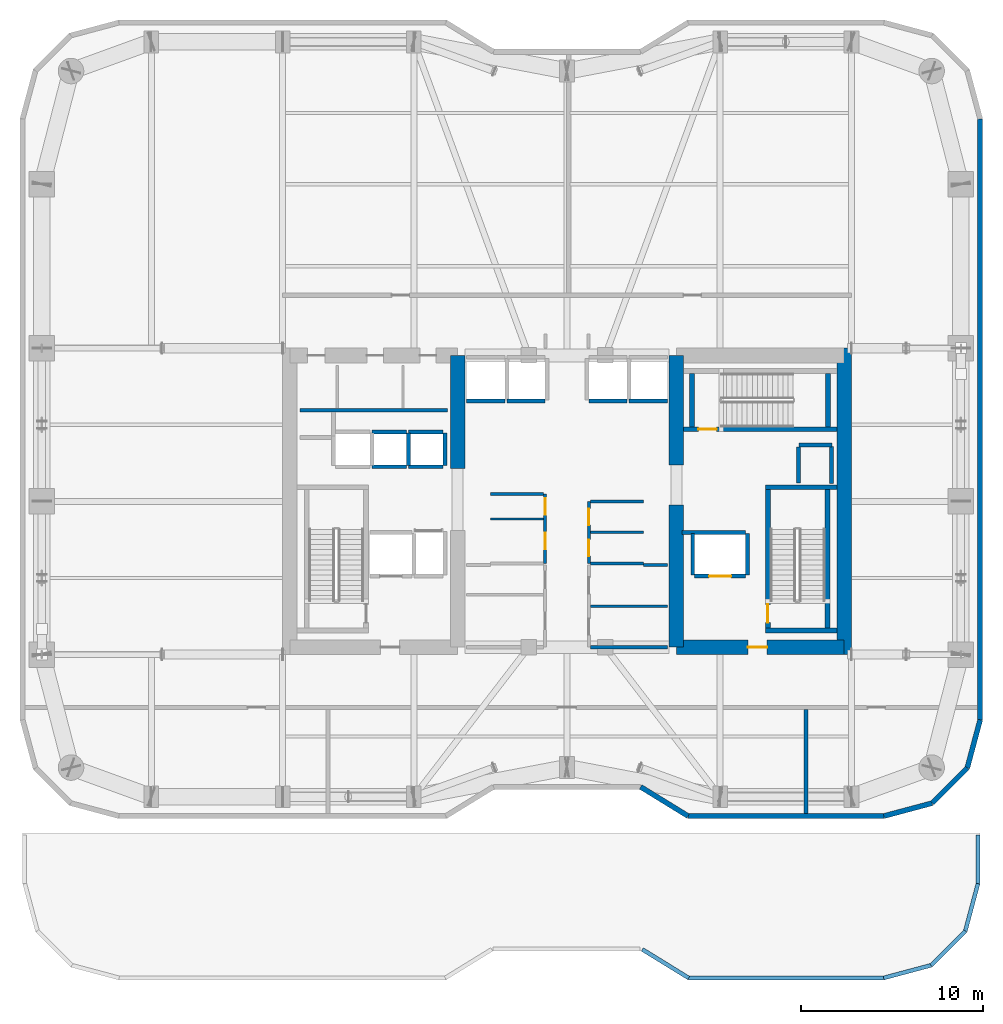
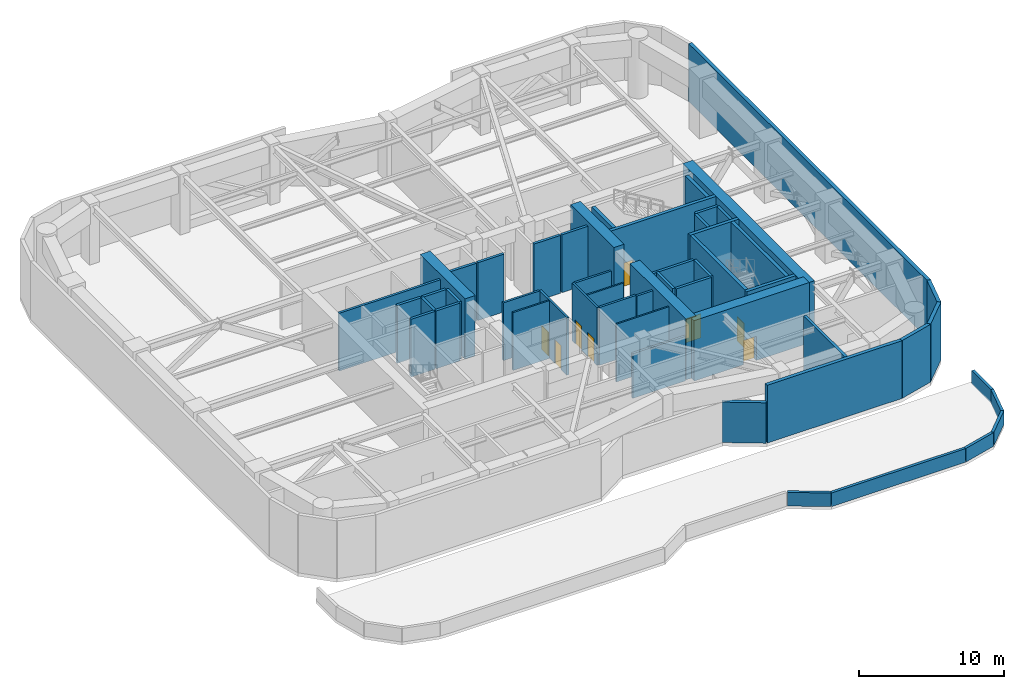
# One storey, part 13 of 16: 53 walls, 8 doors, 8 openings.
"""IFC4 building model written with IfcOpenShell, lengths in metres."""

from ifc_helpers import new_model, si_unit, direction, frame, frame_2d, origin, place, context, subcontext, project, spatial, rectangle, extrude, material, layer, layer_set, type_object, element, fill, save


model = new_model("IFC4")

# Units and contexts
model_context = context("Model", 3, precision=1e-05, world=origin(), true_north=direction((0.0, 1.0)))
body_context = subcontext(model_context, "Body", "Model", "MODEL_VIEW")
ifc_project = project(units=[si_unit("LENGTHUNIT", "METRE"), si_unit("AREAUNIT", "SQUARE_METRE"), si_unit("VOLUMEUNIT", "CUBIC_METRE"), si_unit("PLANEANGLEUNIT", "RADIAN"), si_unit("MASSUNIT", "GRAM", prefix="KILO")], contexts=[model_context])

# Site, building, storey
site_placement = place(None, origin())
site = spatial("IfcSite", under=ifc_project, at=site_placement, CompositionType="ELEMENT")
building_placement = place(site_placement, origin())
building = spatial("IfcBuilding", under=site, at=building_placement, Name="Kiyonajd Concourse Tower", CompositionType="ELEMENT")
storey_placement = place(building_placement, frame((0.0, 0.0, 145.5)))
storey = spatial("IfcBuildingStorey", under=building, at=storey_placement, Name="L37", CompositionType="ELEMENT", Elevation=145.5)

# Walls
ifc_material_1 = material(Name="Concrete C70/85", Category="concrete")
ifc_layer_1 = layer(ifc_material_1, 0.800048828125)
ifc_layer_set_1 = layer_set([ifc_layer_1], Name="Concrete C70/85")
wall_type_1 = type_object("IfcWallType", Name="WL-CORE-800", PredefinedType="SHEAR", material=ifc_layer_set_1)
wall_1_placement = place(storey_placement, frame((42.0, 37.800048828125, 0.0), z_axis=(0.0, 0.0, 1.0), x_axis=(0.0, 1.0, 0.0)))
element("IfcWall", 1, at=wall_1_placement, inside=storey, type_object=wall_type_1, Name="L37 West Core Inner North Shear Wall", PredefinedType="SHEAR", context=body_context, shape_type="SweptSolid", body=[
    extrude(rectangle(XDim=6.199951171875, YDim=0.800048828125, at=frame_2d((3.10009765625, 0.0))), origin(), (0.0, 0.0, 1.0), 5.10009765625),
])
wall_2_placement = place(storey_placement, frame((54.0, 28.0, 0.0), z_axis=(0.0, 0.0, 1.0), x_axis=(0.0, 1.0, 0.0)))
element("IfcWall", 2, at=wall_2_placement, inside=storey, type_object=wall_type_1, Name="L37 East Core Inner South Shear Wall", PredefinedType="SHEAR", context=body_context, shape_type="SweptSolid", body=[
    extrude(rectangle(XDim=7.800048828125, YDim=0.800048828125, at=frame_2d((3.89990234375, 0.0))), origin(), (0.0, 0.0, 1.0), 5.10009765625),
])
wall_3_placement = place(storey_placement, frame((54.0, 38.0, 0.0), z_axis=(0.0, 0.0, 1.0), x_axis=(0.0, 1.0, 0.0)))
element("IfcWall", 3, at=wall_3_placement, inside=storey, type_object=wall_type_1, Name="L37 East Core Inner North Shear Wall", PredefinedType="SHEAR", context=body_context, shape_type="SweptSolid", body=[
    extrude(rectangle(XDim=6.0, YDim=0.800048828125, at=frame_2d((3.0, 0.0))), origin(), (0.0, 0.0, 1.0), 5.10009765625),
])
wall_4_placement = place(storey_placement, frame((63.199951171875, 27.60009765625, 0.0), z_axis=(0.0, 0.0, 1.0), x_axis=(0.0, 1.0, 0.0)))
element("IfcWall", 4, at=wall_4_placement, inside=storey, type_object=wall_type_1, Name="L37 East Core Outer Shear Wall", PredefinedType="SHEAR", context=body_context, shape_type="SweptSolid", body=[
    extrude(rectangle(XDim=16.7998046875, YDim=0.800048828125, at=frame_2d((8.39990234375, 0.0))), origin(), (0.0, 0.0, 1.0), 5.10009765625),
])

# Wall, opening, door
wall_5_placement = place(storey_placement, frame((54.0, 28.0, 0.0), z_axis=(0.0, 0.0, 1.0), x_axis=(1.0, 0.0, 0.0)))
wall_5 = element("IfcWall", 5, at=wall_5_placement, inside=storey, type_object=wall_type_1, Name="L37 East Core South Shear Wall", PredefinedType="SHEAR", context=body_context, shape_type="SweptSolid", body=[
    extrude(rectangle(XDim=9.199951171875, YDim=0.800048828125, at=frame_2d((4.60009765625, 0.0))), origin(), (0.0, 0.0, 1.0), 5.10009765625),
])
opening_1_placement = place(wall_5_placement, frame((3.925048828125, 0.0, 0.0)))
opening_1 = element("IfcOpeningElement", 6, at=opening_1_placement, cuts=wall_5, Name="Opening DF5", PredefinedType="OPENING", context=body_context, shape_type="SweptSolid", body=[
    extrude(rectangle(XDim=1.050048828125, YDim=2.0400390625, at=frame_2d((0.52490234375, 1.02001953125))), frame((0.0, 0.409912109375, 0.0), z_axis=(0.0, -1.0, 0.0), x_axis=(1.0, 0.0, 0.0)), (0.0, 0.0, 1.0), 0.820068359375),
])
ifc_material_2 = material(Name="Brushed Stainless Steel Cab Assembly", Category="steel")
door_type_1 = type_object("IfcDoorType", Name="DR-FD45-1050", OperationType="NOTDEFINED", PredefinedType="DOOR", material=ifc_material_2)
door_1_placement = place(opening_1_placement, origin())
door_1 = element("IfcDoor", 7, at=door_1_placement, inside=storey, type_object=door_type_1, Name="L37 Firefighting Lift Lobby E Smoke Door", OperationType="SINGLE_SWING_RIGHT", OverallHeight=2.0400390625, OverallWidth=1.050048828125, PredefinedType="DOOR", context=body_context, shape_type="SweptSolid", body=[
    extrude(rectangle(XDim=1.050048828125, YDim=2.0400390625, at=frame_2d((0.52490234375, 1.02001953125))), frame((0.0, 0.02490234375, 0.0), z_axis=(0.0, -1.0, 0.0), x_axis=(1.0, 0.0, 0.0)), (0.0, 0.0, 1.0), 0.050048828125),
])
fill(opening_1, door_1)

# Walls
ifc_material_3 = material(Name="Precast concrete C50/60", Category="concrete")
ifc_layer_2 = layer(ifc_material_3, 0.280029296875)
ifc_layer_set_2 = layer_set([ifc_layer_2], Name="Precast concrete C50/60")
wall_type_2 = type_object("IfcWallType", Name="WL-EXT-280", PredefinedType="SOLIDWALL", material=ifc_layer_set_2)
wall_6_placement = place(storey_placement, frame((70.659912109375, 56.981689453125, 0.0), z_axis=(0.0, 0.0, 1.0), x_axis=(0.0, -1.0, 0.0)))
element("IfcWall", 8, at=wall_6_placement, inside=storey, type_object=wall_type_2, Name="L37 Exterior Concrete Frame Wall 12", PredefinedType="SOLIDWALL", context=body_context, shape_type="SweptSolid", body=[
    extrude(rectangle(XDim=32.96337890625, YDim=0.280029296875, at=frame_2d((16.481689453125, 0.0))), origin(), (0.0, 0.0, 1.0), 4.8798828125),
])
wall_7_placement = place(storey_placement, frame((70.659912109375, 24.018310546875, 0.0), z_axis=(0.0, 0.0, 1.0), x_axis=(-0.258672222976, -0.9659651552, 0.0)))
element("IfcWall", 9, at=wall_7_placement, inside=storey, type_object=wall_type_2, Name="L37 Exterior Concrete Frame Wall 13", PredefinedType="SOLIDWALL", context=body_context, shape_type="SweptSolid", body=[
    extrude(rectangle(XDim=2.739013671875, YDim=0.280029296875, at=frame_2d((1.36962890625, 0.0))), origin(), (0.0, 0.0, 1.0), 4.8798828125),
])
wall_8_placement = place(storey_placement, frame((69.951416015625, 21.37255859375, 0.0), z_axis=(0.0, 0.0, 1.0), x_axis=(-0.707061915429, -0.707151644098, 0.0)))
element("IfcWall", 10, at=wall_8_placement, inside=storey, type_object=wall_type_2, Name="L37 Exterior Concrete Frame Wall 14", PredefinedType="SOLIDWALL", context=body_context, shape_type="SweptSolid", body=[
    extrude(rectangle(XDim=2.720947265625, YDim=0.280029296875, at=frame_2d((1.3603515625, 0.0))), origin(), (0.0, 0.0, 1.0), 4.8798828125),
])
wall_9_placement = place(storey_placement, frame((68.027587890625, 19.448486328125, 0.0), z_axis=(0.0, 0.0, 1.0), x_axis=(-0.965971118627, -0.258649952598, 0.0)))
element("IfcWall", 11, at=wall_9_placement, inside=storey, type_object=wall_type_2, Name="L37 Exterior Concrete Frame Wall 15", PredefinedType="SOLIDWALL", context=body_context, shape_type="SweptSolid", body=[
    extrude(rectangle(XDim=2.7392578125, YDim=0.280029296875, at=frame_2d((1.36962890625, 0.0))), origin(), (0.0, 0.0, 1.0), 4.8798828125),
])
wall_10_placement = place(storey_placement, frame((65.381591796875, 18.739990234375, 0.0), z_axis=(0.0, 0.0, 1.0), x_axis=(-1.0, 0.0, 0.0)))
element("IfcWall", 12, at=wall_10_placement, inside=storey, type_object=wall_type_2, Name="L37 Exterior Concrete Frame Wall 16", PredefinedType="SOLIDWALL", context=body_context, shape_type="SweptSolid", body=[
    extrude(rectangle(XDim=10.741943359375, YDim=0.280029296875, at=frame_2d((5.37109375, 0.0))), origin(), (0.0, 0.0, 1.0), 4.8798828125),
])
wall_11_placement = place(storey_placement, frame((54.6396484375, 18.739990234375, 0.0), z_axis=(0.0, 0.0, 1.0), x_axis=(-0.851652825334, 0.524106349037, 0.0)))
element("IfcWall", 13, at=wall_11_placement, inside=storey, type_object=wall_type_2, Name="L37 Exterior Concrete Frame Wall 17", PredefinedType="SOLIDWALL", context=body_context, shape_type="SweptSolid", body=[
    extrude(rectangle(XDim=3.052978515625, YDim=0.280029296875, at=frame_2d((1.5263671875, 0.0))), origin(), (0.0, 0.0, 1.0), 3.4150390625),
])
ifc_material_4 = material(Name="Gypsum Board on Cold-Formed Steel Stud", Category="steel")
ifc_layer_3 = layer(ifc_material_4, 0.22998046875)
ifc_layer_set_3 = layer_set([ifc_layer_3], Name="Gypsum Board on Cold-Formed Steel Stud")
wall_type_3 = type_object("IfcWallType", Name="WL-FIRE-230", PredefinedType="PARTITIONING", material=ifc_layer_set_3)
wall_12_placement = place(storey_placement, frame((61.10009765625, 18.875, 0.0), z_axis=(0.0, 0.0, 1.0), x_axis=(0.0, 1.0, 0.0)))
element("IfcWall", 14, at=wall_12_placement, inside=storey, type_object=wall_type_3, Name="L37 Interior Partition Wall", PredefinedType="PARTITIONING", context=body_context, shape_type="SweptSolid", body=[
    extrude(rectangle(XDim=5.7080078125, YDim=0.22998046875, at=frame_2d((2.85400390625, 0.0))), origin(), (0.0, 0.0, 1.0), 4.8798828125),
])
ifc_layer_4 = layer(ifc_material_3, 0.219970703125)
ifc_layer_set_4 = layer_set([ifc_layer_4], Name="Precast concrete C50/60")
wall_type_4 = type_object("IfcWallType", Name="WL-PAR-220", PredefinedType="PARAPET", material=ifc_layer_set_4)
wall_13_placement = place(storey_placement, frame((70.5400390625, 15.034423828125, 0.0), z_axis=(0.0, 0.0, 1.0), x_axis=(-0.258470033577, -0.966019276072, 0.0)))
element("IfcWall", 15, at=wall_13_placement, inside=storey, type_object=wall_type_4, Name="L37 Setback Roof Parapet 01", PredefinedType="PARAPET", context=body_context, shape_type="SweptSolid", body=[
    extrude(rectangle(XDim=2.691162109375, YDim=0.219970703125, at=frame_2d((1.345703125, 0.0))), origin(), (0.0, 0.0, 1.0), 1.14990234375),
])
wall_14_placement = place(storey_placement, frame((69.844482421875, 12.434814453125, 0.0), z_axis=(0.0, 0.0, 1.0), x_axis=(-0.707152710632, -0.707060848758, 0.0)))
element("IfcWall", 16, at=wall_14_placement, inside=storey, type_object=wall_type_4, Name="L37 Setback Roof Parapet 02", PredefinedType="PARAPET", context=body_context, shape_type="SweptSolid", body=[
    extrude(rectangle(XDim=2.65771484375, YDim=0.219970703125, at=frame_2d((1.328857421875, 0.0))), origin(), (0.0, 0.0, 1.0), 1.14990234375),
])
wall_15_placement = place(storey_placement, frame((67.965087890625, 10.5556640625, 0.0), z_axis=(0.0, 0.0, 1.0), x_axis=(-0.966019276072, -0.258470033577, 0.0)))
element("IfcWall", 17, at=wall_15_placement, inside=storey, type_object=wall_type_4, Name="L37 Setback Roof Parapet 03", PredefinedType="PARAPET", context=body_context, shape_type="SweptSolid", body=[
    extrude(rectangle(XDim=2.691162109375, YDim=0.219970703125, at=frame_2d((1.345703125, 0.0))), origin(), (0.0, 0.0, 1.0), 1.14990234375),
])
wall_16_placement = place(storey_placement, frame((65.365478515625, 9.860107421875, 0.0), z_axis=(0.0, 0.0, 1.0), x_axis=(-1.0, 0.0, 0.0)))
element("IfcWall", 18, at=wall_16_placement, inside=storey, type_object=wall_type_4, Name="L37 Setback Roof Parapet 04", PredefinedType="PARAPET", context=body_context, shape_type="SweptSolid", body=[
    extrude(rectangle(XDim=10.6923828125, YDim=0.219970703125, at=frame_2d((5.34619140625, 0.0))), origin(), (0.0, 0.0, 1.0), 1.14990234375),
])
wall_17_placement = place(storey_placement, frame((54.673095703125, 9.860107421875, 0.0), z_axis=(0.0, 0.0, 1.0), x_axis=(-0.851574117417, 0.524234224889, 0.0)))
element("IfcWall", 19, at=wall_17_placement, inside=storey, type_object=wall_type_4, Name="L37 Setback Roof Parapet 05", PredefinedType="PARAPET", context=body_context, shape_type="SweptSolid", body=[
    extrude(rectangle(XDim=2.987060546875, YDim=0.219970703125, at=frame_2d((1.49365234375, 0.0))), origin(), (0.0, 0.0, 1.0), 1.14990234375),
])
wall_18_placement = place(storey_placement, frame((70.5400390625, 17.68994140625, 0.0), z_axis=(0.0, 0.0, 1.0), x_axis=(0.0, -1.0, 0.0)))
element("IfcWall", 20, at=wall_18_placement, inside=storey, type_object=wall_type_4, Name="L37 Setback Roof Parapet 17", PredefinedType="PARAPET", context=body_context, shape_type="SweptSolid", body=[
    extrude(rectangle(XDim=2.655517578125, YDim=0.219970703125, at=frame_2d((1.32763671875, 0.0))), origin(), (0.0, 0.0, 1.0), 1.14990234375),
])
ifc_layer_5 = layer(ifc_material_4, 0.125)
ifc_layer_set_5 = layer_set([ifc_layer_5], Name="Gypsum Board on Cold-Formed Steel Stud")
wall_type_5 = type_object("IfcWallType", Name="WL-PART-125", PredefinedType="PARTITIONING", material=ifc_layer_set_5)
for number, where, z_axis, x_axis, name in (
    (21, (43.800048828125, 35.031982421875, 0.0), (0.0, 0.0, 1.0), (1.0, 0.0, 0.0), "L37 Interior Partition Wall"),
    (22, (49.287109375, 34.300048828125, 0.0), (0.0, 0.0, 1.0), (1.0, 0.0, 0.0), "L37 Interior Partition Wall"),
):
    element("IfcWall", number, at=place(storey_placement, frame(where, z_axis=z_axis, x_axis=x_axis)), inside=storey, type_object=wall_type_5, Name=name, PredefinedType="PARTITIONING", context=body_context, shape_type="SweptSolid", body=[
        extrude(rectangle(XDim=2.912841796875, YDim=0.125, at=frame_2d((1.45654296875, 0.0))), origin(), (0.0, 0.0, 1.0), 4.8798828125),
    ])
wall_19_placement = place(storey_placement, frame((49.287109375, 30.25, 0.0), z_axis=(0.0, 0.0, 1.0), x_axis=(1.0, 0.0, 0.0)))
element("IfcWall", 23, at=wall_19_placement, inside=storey, type_object=wall_type_5, Name="L37 Interior Partition Wall", PredefinedType="PARTITIONING", context=body_context, shape_type="SweptSolid", body=[
    extrude(rectangle(XDim=4.212890625, YDim=0.125, at=frame_2d((2.1064453125, 0.0))), origin(), (0.0, 0.0, 1.0), 4.8798828125),
])
ifc_layer_6 = layer(ifc_material_4, 0.18994140625)
ifc_layer_set_6 = layer_set([ifc_layer_6], Name="Gypsum Board on Cold-Formed Steel Stud")
wall_type_6 = type_object("IfcWallType", Name="WL-PLMB-190", PredefinedType="PLUMBINGWALL", material=ifc_layer_set_6)
wall_20_placement = place(storey_placement, frame((33.35009765625, 41.0, 0.0), z_axis=(0.0, 0.0, 1.0), x_axis=(1.0, 0.0, 0.0)))
element("IfcWall", 24, at=wall_20_placement, inside=storey, type_object=wall_type_6, Name="L37 Interior Partition Wall", PredefinedType="PLUMBINGWALL", context=body_context, shape_type="SweptSolid", body=[
    extrude(rectangle(XDim=8.099853515625, YDim=0.18994140625, at=frame_2d((4.0498046875, 0.0))), origin(), (0.0, 0.0, 1.0), 4.8798828125),
])
ifc_layer_7 = layer(ifc_material_4, 0.2099609375)
ifc_layer_set_7 = layer_set([ifc_layer_7], Name="Gypsum Board on Cold-Formed Steel Stud")
wall_type_7 = type_object("IfcWallType", Name="WL-SHAFT-210", PredefinedType="PARTITIONING", material=ifc_layer_set_7)
wall_21_placement = place(storey_placement, frame((60.719970703125, 39.10009765625, 0.0), z_axis=(0.0, 0.0, 1.0), x_axis=(1.0, 0.0, 0.0)))
element("IfcWall", 25, at=wall_21_placement, inside=storey, type_object=wall_type_7, Name="L37 Shaft Enclosure Wall", PredefinedType="PARTITIONING", context=body_context, shape_type="SweptSolid", body=[
    extrude(rectangle(XDim=1.800048828125, YDim=0.2099609375, at=frame_2d((0.89990234375, 0.0))), origin(), (0.0, 0.0, 1.0), 4.8798828125),
])
wall_22_placement = place(storey_placement, frame((60.699951171875, 37.02001953125, 0.0), z_axis=(0.0, 0.0, 1.0), x_axis=(0.0, 1.0, 0.0)))
element("IfcWall", 26, at=wall_22_placement, inside=storey, type_object=wall_type_7, Name="L37 Shaft Enclosure Wall", PredefinedType="PARTITIONING", context=body_context, shape_type="SweptSolid", body=[
    extrude(rectangle(XDim=1.9599609375, YDim=0.2099609375, at=frame_2d((0.97998046875, 0.0))), origin(), (0.0, 0.0, 1.0), 4.8798828125),
])
wall_23_placement = place(storey_placement, frame((62.5, 36.97998046875, 0.0), z_axis=(0.0, 0.0, 1.0), x_axis=(0.0, 1.0, 0.0)))
element("IfcWall", 27, at=wall_23_placement, inside=storey, type_object=wall_type_7, Name="L37 Shaft Enclosure Wall", PredefinedType="PARTITIONING", context=body_context, shape_type="SweptSolid", body=[
    extrude(rectangle(XDim=2.0400390625, YDim=0.2099609375, at=frame_2d((1.02001953125, 0.0))), origin(), (0.0, 0.0, 1.0), 4.8798828125),
])

# Wall, opening, door
wall_24_placement = place(storey_placement, frame((55.0, 31.89990234375, 0.0), z_axis=(0.0, 0.0, 1.0), x_axis=(1.0, 0.0, 0.0)))
wall_24 = element("IfcWall", 28, at=wall_24_placement, inside=storey, type_object=wall_type_7, Name="L37 Shaft Enclosure Wall", PredefinedType="PARTITIONING", context=body_context, shape_type="SweptSolid", body=[
    extrude(rectangle(XDim=2.800048828125, YDim=0.2099609375, at=frame_2d((1.39990234375, 0.0))), origin(), (0.0, 0.0, 1.0), 4.8798828125),
])
opening_2_placement = place(wall_24_placement, frame((0.800048828125, 0.0, 0.0)))
opening_2 = element("IfcOpeningElement", 29, at=opening_2_placement, cuts=wall_24, Name="Opening LD2", PredefinedType="OPENING", context=body_context, shape_type="SweptSolid", body=[
    extrude(rectangle(XDim=1.199951171875, YDim=2.0400390625, at=frame_2d((0.60009765625, 1.02001953125))), frame((0.0, 0.114990234375, 0.0), z_axis=(0.0, -1.0, 0.0), x_axis=(1.0, 0.0, 0.0)), (0.0, 0.0, 1.0), 0.22998046875),
])
door_type_2 = type_object("IfcDoorType", Name="DR-LD-1200", OperationType="DOUBLE_DOOR_SLIDING", PredefinedType="DOOR", material=ifc_material_2)
door_2_placement = place(opening_2_placement, origin())
door_2 = element("IfcDoor", 30, at=door_2_placement, inside=storey, type_object=door_type_2, Name="L37 Lift FFL2 Sliding Landing Door", OperationType="DOUBLE_DOOR_SLIDING", OverallHeight=2.0400390625, OverallWidth=1.199951171875, PredefinedType="DOOR", context=body_context, shape_type="SweptSolid", body=[
    extrude(rectangle(XDim=1.199951171875, YDim=2.0400390625, at=frame_2d((0.60009765625, 1.02001953125))), frame((0.0, 0.02490234375, 0.0), z_axis=(0.0, -1.0, 0.0), x_axis=(1.0, 0.0, 0.0)), (0.0, 0.0, 1.0), 0.050048828125),
])
fill(opening_2, door_2)

# Walls
wall_25_placement = place(storey_placement, frame((54.320068359375, 34.300048828125, 0.0), z_axis=(0.0, 0.0, 1.0), x_axis=(1.0, 0.0, 0.0)))
element("IfcWall", 31, at=wall_25_placement, inside=storey, type_object=wall_type_7, Name="L37 Shaft Enclosure Wall", PredefinedType="PARTITIONING", context=body_context, shape_type="SweptSolid", body=[
    extrude(rectangle(XDim=3.47998046875, YDim=0.2099609375, at=frame_2d((1.739990234375, 0.0))), origin(), (0.0, 0.0, 1.0), 4.8798828125),
])
for number, where, z_axis, x_axis, name in (
    (32, (54.89990234375, 31.9599609375, 0.0), (0.0, 0.0, 1.0), (0.0, 1.0, 0.0), "L37 Shaft Enclosure Wall"),
    (33, (57.89990234375, 31.9599609375, 0.0), (0.0, 0.0, 1.0), (0.0, 1.0, 0.0), "L37 Shaft Enclosure Wall"),
):
    element("IfcWall", number, at=place(storey_placement, frame(where, z_axis=z_axis, x_axis=x_axis)), inside=storey, type_object=wall_type_7, Name=name, PredefinedType="PARTITIONING", context=body_context, shape_type="SweptSolid", body=[
        extrude(rectangle(XDim=2.280029296875, YDim=0.2099609375, at=frame_2d((1.14013671875, 0.0))), origin(), (0.0, 0.0, 1.0), 4.8798828125),
    ])
for number, where, z_axis, x_axis, name in (
    (34, (42.5, 41.5, 0.0), (0.0, 0.0, 1.0), (1.0, 0.0, 0.0), "L37 Shaft Enclosure Wall"),
    (35, (44.699951171875, 41.5, 0.0), (0.0, 0.0, 1.0), (1.0, 0.0, 0.0), "L37 Shaft Enclosure Wall"),
    (36, (49.199951171875, 41.5, 0.0), (0.0, 0.0, 1.0), (1.0, 0.0, 0.0), "L37 Shaft Enclosure Wall"),
    (37, (51.39990234375, 41.5, 0.0), (0.0, 0.0, 1.0), (1.0, 0.0, 0.0), "L37 Shaft Enclosure Wall"),
):
    element("IfcWall", number, at=place(storey_placement, frame(where, z_axis=z_axis, x_axis=x_axis)), inside=storey, type_object=wall_type_7, Name=name, PredefinedType="PARTITIONING", context=body_context, shape_type="SweptSolid", body=[
        extrude(rectangle(XDim=2.10009765625, YDim=0.2099609375, at=frame_2d((1.050048828125, 0.0))), origin(), (0.0, 0.0, 1.0), 4.8798828125),
    ])
for number, where, z_axis, x_axis, name in (
    (38, (37.300048828125, 37.89990234375, 0.0), (0.0, 0.0, 1.0), (1.0, 0.0, 0.0), "L37 Shaft Enclosure Wall"),
    (39, (37.300048828125, 39.800048828125, 0.0), (0.0, 0.0, 1.0), (1.0, 0.0, 0.0), "L37 Shaft Enclosure Wall"),
):
    element("IfcWall", number, at=place(storey_placement, frame(where, z_axis=z_axis, x_axis=x_axis)), inside=storey, type_object=wall_type_7, Name=name, PredefinedType="PARTITIONING", context=body_context, shape_type="SweptSolid", body=[
        extrude(rectangle(XDim=1.89990234375, YDim=0.2099609375, at=frame_2d((0.949951171875, 0.0))), origin(), (0.0, 0.0, 1.0), 4.8798828125),
    ])
wall_26_placement = place(storey_placement, frame((39.300048828125, 37.9599609375, 0.0), z_axis=(0.0, 0.0, 1.0), x_axis=(0.0, 1.0, 0.0)))
element("IfcWall", 40, at=wall_26_placement, inside=storey, type_object=wall_type_7, Name="L37 Shaft Enclosure Wall", PredefinedType="PARTITIONING", context=body_context, shape_type="SweptSolid", body=[
    extrude(rectangle(XDim=1.780029296875, YDim=0.2099609375, at=frame_2d((0.89013671875, 0.0))), origin(), (0.0, 0.0, 1.0), 4.8798828125),
])
for number, where, z_axis, x_axis, name in (
    (41, (39.300048828125, 37.89990234375, 0.0), (0.0, 0.0, 1.0), (1.0, 0.0, 0.0), "L37 Shaft Enclosure Wall"),
    (42, (39.300048828125, 39.800048828125, 0.0), (0.0, 0.0, 1.0), (1.0, 0.0, 0.0), "L37 Shaft Enclosure Wall"),
):
    element("IfcWall", number, at=place(storey_placement, frame(where, z_axis=z_axis, x_axis=x_axis)), inside=storey, type_object=wall_type_7, Name=name, PredefinedType="PARTITIONING", context=body_context, shape_type="SweptSolid", body=[
        extrude(rectangle(XDim=1.89990234375, YDim=0.2099609375, at=frame_2d((0.949951171875, 0.0))), origin(), (0.0, 0.0, 1.0), 4.8798828125),
    ])
wall_27_placement = place(storey_placement, frame((41.300048828125, 37.9599609375, 0.0), z_axis=(0.0, 0.0, 1.0), x_axis=(0.0, 1.0, 0.0)))
element("IfcWall", 43, at=wall_27_placement, inside=storey, type_object=wall_type_7, Name="L37 Shaft Enclosure Wall", PredefinedType="PARTITIONING", context=body_context, shape_type="SweptSolid", body=[
    extrude(rectangle(XDim=1.780029296875, YDim=0.2099609375, at=frame_2d((0.89013671875, 0.0))), origin(), (0.0, 0.0, 1.0), 4.8798828125),
])

# Wall, openings, doors
ifc_layer_8 = layer(ifc_material_4, 0.169921875)
ifc_layer_set_8 = layer_set([ifc_layer_8], Name="Gypsum Board on Cold-Formed Steel Stud")
wall_type_8 = type_object("IfcWallType", Name="WL-SMK-170", PredefinedType="PARTITIONING", material=ifc_layer_set_8)
wall_28_placement = place(storey_placement, frame((46.800048828125, 32.60009765625, 0.0), z_axis=(0.0, 0.0, 1.0), x_axis=(0.0, 1.0, 0.0)))
wall_28 = element("IfcWall", 44, at=wall_28_placement, inside=storey, type_object=wall_type_8, Name="L37 Interior Partition Wall", PredefinedType="PARTITIONING", context=body_context, shape_type="SweptSolid", body=[
    extrude(rectangle(XDim=3.7998046875, YDim=0.169921875, at=frame_2d((1.89990234375, 0.0))), origin(), (0.0, 0.0, 1.0), 4.8798828125),
])
opening_3_placement = place(wall_28_placement, frame((0.76611328125, 0.0, 0.0)))
opening_3 = element("IfcOpeningElement", 45, at=opening_3_placement, cuts=wall_28, Name="Opening DF4", PredefinedType="OPENING", context=body_context, shape_type="SweptSolid", body=[
    extrude(rectangle(XDim=0.89990234375, YDim=2.02001953125, at=frame_2d((0.449951171875, 1.010009765625))), frame((0.0, 0.094970703125, 0.0), z_axis=(0.0, -1.0, 0.0), x_axis=(1.0, 0.0, 0.0)), (0.0, 0.0, 1.0), 0.18994140625),
])
opening_4_placement = place(wall_28_placement, frame((2.666015625, 0.0, 0.0)))
opening_4 = element("IfcOpeningElement", 46, at=opening_4_placement, cuts=wall_28, Name="Opening DF4", PredefinedType="OPENING", context=body_context, shape_type="SweptSolid", body=[
    extrude(rectangle(XDim=0.89990234375, YDim=2.02001953125, at=frame_2d((0.449951171875, 1.010009765625))), frame((0.0, 0.094970703125, 0.0), z_axis=(0.0, -1.0, 0.0), x_axis=(1.0, 0.0, 0.0)), (0.0, 0.0, 1.0), 0.18994140625),
])
door_type_3 = type_object("IfcDoorType", Name="DR-FD60-900", OperationType="NOTDEFINED", PredefinedType="DOOR", material=ifc_material_2)
door_3_placement = place(opening_3_placement, origin())
door_3 = element("IfcDoor", 47, at=door_3_placement, inside=storey, type_object=door_type_3, Name="L37 Interior Door", OperationType="SINGLE_SWING_RIGHT", OverallHeight=2.02001953125, OverallWidth=0.89990234375, PredefinedType="DOOR", context=body_context, shape_type="SweptSolid", body=[
    extrude(rectangle(XDim=0.89990234375, YDim=2.02001953125, at=frame_2d((0.449951171875, 1.010009765625))), frame((0.0, 0.02490234375, 0.0), z_axis=(0.0, -1.0, 0.0), x_axis=(1.0, 0.0, 0.0)), (0.0, 0.0, 1.0), 0.050048828125),
])
fill(opening_3, door_3)
door_4_placement = place(opening_4_placement, origin())
door_4 = element("IfcDoor", 48, at=door_4_placement, inside=storey, type_object=door_type_3, Name="L37 Interior Door", OperationType="SINGLE_SWING_LEFT", OverallHeight=2.02001953125, OverallWidth=0.89990234375, PredefinedType="DOOR", context=body_context, shape_type="SweptSolid", body=[
    extrude(rectangle(XDim=0.89990234375, YDim=2.02001953125, at=frame_2d((0.449951171875, 1.010009765625))), frame((0.0, 0.02490234375, 0.0), z_axis=(0.0, -1.0, 0.0), x_axis=(1.0, 0.0, 0.0)), (0.0, 0.0, 1.0), 0.050048828125),
])
fill(opening_4, door_4)

# Wall
wall_29_placement = place(storey_placement, frame((43.800048828125, 36.39990234375, 0.0), z_axis=(0.0, 0.0, 1.0), x_axis=(1.0, 0.0, 0.0)))
element("IfcWall", 49, at=wall_29_placement, inside=storey, type_object=wall_type_8, Name="L37 Interior Partition Wall", PredefinedType="PARTITIONING", context=body_context, shape_type="SweptSolid", body=[
    extrude(rectangle(XDim=2.912841796875, YDim=0.169921875, at=frame_2d((1.45654296875, 0.0))), origin(), (0.0, 0.0, 1.0), 4.8798828125),
])

# Wall, openings, doors
wall_30_placement = place(storey_placement, frame((49.199951171875, 32.60009765625, 0.0), z_axis=(0.0, 0.0, 1.0), x_axis=(0.0, 1.0, 0.0)))
wall_30 = element("IfcWall", 50, at=wall_30_placement, inside=storey, type_object=wall_type_8, Name="L37 Interior Partition Wall", PredefinedType="PARTITIONING", context=body_context, shape_type="SweptSolid", body=[
    extrude(rectangle(XDim=3.39990234375, YDim=0.169921875, at=frame_2d((1.699951171875, 0.0))), origin(), (0.0, 0.0, 1.0), 4.8798828125),
])
opening_5_placement = place(wall_30_placement, frame((0.39990234375, 0.0, 0.0)))
opening_5 = element("IfcOpeningElement", 51, at=opening_5_placement, cuts=wall_30, Name="Opening DI2", PredefinedType="OPENING", context=body_context, shape_type="SweptSolid", body=[
    extrude(rectangle(XDim=0.89990234375, YDim=2.02001953125, at=frame_2d((0.449951171875, 1.010009765625))), frame((0.0, 0.094970703125, 0.0), z_axis=(0.0, -1.0, 0.0), x_axis=(1.0, 0.0, 0.0)), (0.0, 0.0, 1.0), 0.18994140625),
])
opening_6_placement = place(wall_30_placement, frame((2.10009765625, 0.0, 0.0)))
opening_6 = element("IfcOpeningElement", 52, at=opening_6_placement, cuts=wall_30, Name="Opening DI2", PredefinedType="OPENING", context=body_context, shape_type="SweptSolid", body=[
    extrude(rectangle(XDim=0.89990234375, YDim=2.02001953125, at=frame_2d((0.449951171875, 1.010009765625))), frame((0.0, 0.094970703125, 0.0), z_axis=(0.0, -1.0, 0.0), x_axis=(1.0, 0.0, 0.0)), (0.0, 0.0, 1.0), 0.18994140625),
])
ifc_material_5 = material(Name="Natural Oak Acoustic Timber Veneer", Category="wood")
door_type_4 = type_object("IfcDoorType", Name="DR-INT-900", OperationType="NOTDEFINED", PredefinedType="DOOR", material=ifc_material_5)
door_5_placement = place(opening_5_placement, origin())
door_5 = element("IfcDoor", 53, at=door_5_placement, inside=storey, type_object=door_type_4, Name="L37 Interior Door", OperationType="SINGLE_SWING_RIGHT", OverallHeight=2.02001953125, OverallWidth=0.89990234375, PredefinedType="DOOR", context=body_context, shape_type="SweptSolid", body=[
    extrude(rectangle(XDim=0.89990234375, YDim=2.02001953125, at=frame_2d((0.449951171875, 1.010009765625))), frame((0.0, 0.02490234375, 0.0), z_axis=(0.0, -1.0, 0.0), x_axis=(1.0, 0.0, 0.0)), (0.0, 0.0, 1.0), 0.050048828125),
])
fill(opening_5, door_5)
door_6_placement = place(opening_6_placement, origin())
door_6 = element("IfcDoor", 54, at=door_6_placement, inside=storey, type_object=door_type_4, Name="L37 Interior Door", OperationType="SINGLE_SWING_LEFT", OverallHeight=2.02001953125, OverallWidth=0.89990234375, PredefinedType="DOOR", context=body_context, shape_type="SweptSolid", body=[
    extrude(rectangle(XDim=0.89990234375, YDim=2.02001953125, at=frame_2d((0.449951171875, 1.010009765625))), frame((0.0, 0.02490234375, 0.0), z_axis=(0.0, -1.0, 0.0), x_axis=(1.0, 0.0, 0.0)), (0.0, 0.0, 1.0), 0.050048828125),
])
fill(opening_6, door_6)

# Walls
for number, where, z_axis, x_axis, name in (
    (55, (49.287109375, 32.60009765625, 0.0), (0.0, 0.0, 1.0), (1.0, 0.0, 0.0), "L37 Interior Partition Wall"),
    (56, (49.287109375, 36.0, 0.0), (0.0, 0.0, 1.0), (1.0, 0.0, 0.0), "L37 Interior Partition Wall"),
):
    element("IfcWall", number, at=place(storey_placement, frame(where, z_axis=z_axis, x_axis=x_axis)), inside=storey, type_object=wall_type_8, Name=name, PredefinedType="PARTITIONING", context=body_context, shape_type="SweptSolid", body=[
        extrude(rectangle(XDim=2.912841796875, YDim=0.169921875, at=frame_2d((1.45654296875, 0.0))), origin(), (0.0, 0.0, 1.0), 4.8798828125),
    ])
wall_31_placement = place(storey_placement, frame((49.287109375, 28.0, 0.0), z_axis=(0.0, 0.0, 1.0), x_axis=(1.0, 0.0, 0.0)))
element("IfcWall", 57, at=wall_31_placement, inside=storey, type_object=wall_type_8, Name="L37 Interior Partition Wall", PredefinedType="PARTITIONING", context=body_context, shape_type="SweptSolid", body=[
    extrude(rectangle(XDim=4.212890625, YDim=0.169921875, at=frame_2d((2.1064453125, 0.0))), origin(), (0.0, 0.0, 1.0), 3.764892578125),
])
wall_32_placement = place(storey_placement, frame((52.199951171875, 32.5, 0.0), z_axis=(0.0, 0.0, 1.0), x_axis=(1.0, 0.0, 0.0)))
element("IfcWall", 58, at=wall_32_placement, inside=storey, type_object=wall_type_8, Name="L37 Interior Partition Wall", PredefinedType="PARTITIONING", context=body_context, shape_type="SweptSolid", body=[
    extrude(rectangle(XDim=1.300048828125, YDim=0.169921875, at=frame_2d((0.64990234375, 0.0))), origin(), (0.0, 0.0, 1.0), 4.8798828125),
])
ifc_material_6 = material(Name="Concrete C50/60", Category="concrete")
ifc_layer_9 = layer(ifc_material_6, 0.260009765625)
ifc_layer_set_9 = layer_set([ifc_layer_9], Name="Concrete C50/60")
wall_type_9 = type_object("IfcWallType", Name="WL-STAIR-260", PredefinedType="SHEAR", material=ifc_layer_set_9)
for number, where, z_axis, x_axis, name in (
    (59, (58.889892578125, 28.919921875, 0.0), (0.0, 0.0, 1.0), (1.0, 0.0, 0.0), "L37 Stair ST2 Structural South Wall"),
    (60, (58.889892578125, 36.780029296875, 0.0), (0.0, 0.0, 1.0), (1.0, 0.0, 0.0), "L37 Stair ST2 Structural North Wall"),
):
    element("IfcWall", number, at=place(storey_placement, frame(where, z_axis=z_axis, x_axis=x_axis)), inside=storey, type_object=wall_type_9, Name=name, PredefinedType="SHEAR", context=body_context, shape_type="SweptSolid", body=[
        extrude(rectangle(XDim=3.91015625, YDim=0.260009765625, at=frame_2d((1.955078125, 0.0))), origin(), (0.0, 0.0, 1.0), 5.10009765625),
    ])

# Wall, opening, door
wall_33_placement = place(storey_placement, frame((59.02001953125, 29.050048828125, 0.0), z_axis=(0.0, 0.0, 1.0), x_axis=(0.0, 1.0, 0.0)))
wall_33 = element("IfcWall", 61, at=wall_33_placement, inside=storey, type_object=wall_type_9, Name="L37 Stair ST2 Structural West Wall", PredefinedType="SHEAR", context=body_context, shape_type="SweptSolid", body=[
    extrude(rectangle(XDim=7.599853515625, YDim=0.260009765625, at=frame_2d((3.7998046875, 0.0))), origin(), (0.0, 0.0, 1.0), 5.10009765625),
])
opening_7_placement = place(wall_33_placement, frame((0.300048828125, 0.0, 0.0)))
opening_7 = element("IfcOpeningElement", 62, at=opening_7_placement, cuts=wall_33, Name="Opening DF1", PredefinedType="OPENING", context=body_context, shape_type="SweptSolid", body=[
    extrude(rectangle(XDim=1.0, YDim=2.0400390625, at=frame_2d((0.5, 1.02001953125))), frame((0.0, 0.139892578125, 0.0), z_axis=(0.0, -1.0, 0.0), x_axis=(1.0, 0.0, 0.0)), (0.0, 0.0, 1.0), 0.280029296875),
])
door_type_5 = type_object("IfcDoorType", Name="DR-FD90-1000", OperationType="NOTDEFINED", PredefinedType="DOOR", material=ifc_material_2)
door_7_placement = place(opening_7_placement, origin())
door_7 = element("IfcDoor", 63, at=door_7_placement, inside=storey, type_object=door_type_5, Name="L37 Stair ST2 FSAE Door", OperationType="SINGLE_SWING_RIGHT", OverallHeight=2.0400390625, OverallWidth=1.0, PredefinedType="DOOR", context=body_context, shape_type="SweptSolid", body=[
    extrude(rectangle(XDim=1.0, YDim=2.0400390625, at=frame_2d((0.5, 1.02001953125))), frame((0.0, 0.02490234375, 0.0), z_axis=(0.0, -1.0, 0.0), x_axis=(1.0, 0.0, 0.0)), (0.0, 0.0, 1.0), 0.050048828125),
])
fill(opening_7, door_7)

# Wall
wall_34_placement = place(storey_placement, frame((62.280029296875, 29.050048828125, 0.0), z_axis=(0.0, 0.0, 1.0), x_axis=(0.0, 1.0, 0.0)))
element("IfcWall", 64, at=wall_34_placement, inside=storey, type_object=wall_type_9, Name="L37 Stair ST2 Structural East Wall", PredefinedType="SHEAR", context=body_context, shape_type="SweptSolid", body=[
    extrude(rectangle(XDim=7.599853515625, YDim=0.260009765625, at=frame_2d((3.7998046875, 0.0))), origin(), (0.0, 0.0, 1.0), 5.10009765625),
])

# Wall, opening, door
wall_35_placement = place(storey_placement, frame((54.39990234375, 39.949951171875, 0.0), z_axis=(0.0, 0.0, 1.0), x_axis=(1.0, 0.0, 0.0)))
wall_35 = element("IfcWall", 65, at=wall_35_placement, inside=storey, type_object=wall_type_9, Name="L37 Stair ST3 Structural South Wall", PredefinedType="SHEAR", context=body_context, shape_type="SweptSolid", body=[
    extrude(rectangle(XDim=8.400146484375, YDim=0.260009765625, at=frame_2d((4.2001953125, 0.0))), origin(), (0.0, 0.0, 1.0), 5.10009765625),
])
opening_8_placement = place(wall_35_placement, frame((0.800048828125, 0.0, 0.0)))
opening_8 = element("IfcOpeningElement", 66, at=opening_8_placement, cuts=wall_35, Name="Opening DF1", PredefinedType="OPENING", context=body_context, shape_type="SweptSolid", body=[
    extrude(rectangle(XDim=1.0, YDim=2.0400390625, at=frame_2d((0.5, 1.02001953125))), frame((0.0, 0.139892578125, 0.0), z_axis=(0.0, -1.0, 0.0), x_axis=(1.0, 0.0, 0.0)), (0.0, 0.0, 1.0), 0.280029296875),
])
door_8_placement = place(opening_8_placement, origin())
door_8 = element("IfcDoor", 67, at=door_8_placement, inside=storey, type_object=door_type_5, Name="L37 Stair ST3 Enclosure Door", OperationType="SINGLE_SWING_LEFT", OverallHeight=2.0400390625, OverallWidth=1.0, PredefinedType="DOOR", context=body_context, shape_type="SweptSolid", body=[
    extrude(rectangle(XDim=1.0, YDim=2.0400390625, at=frame_2d((0.5, 1.02001953125))), frame((0.0, 0.02490234375, 0.0), z_axis=(0.0, -1.0, 0.0), x_axis=(1.0, 0.0, 0.0)), (0.0, 0.0, 1.0), 0.050048828125),
])
fill(opening_8, door_8)

# Walls
for number, where, z_axis, x_axis, name in (
    (68, (54.85009765625, 40.080078125, 0.0), (0.0, 0.0, 1.0), (0.0, 1.0, 0.0), "L37 Stair ST3 Structural West Wall"),
    (69, (62.31005859375, 40.080078125, 0.0), (0.0, 0.0, 1.0), (0.0, 1.0, 0.0), "L37 Stair ST3 Structural East Wall"),
):
    element("IfcWall", number, at=place(storey_placement, frame(where, z_axis=z_axis, x_axis=x_axis)), inside=storey, type_object=wall_type_9, Name=name, PredefinedType="SHEAR", context=body_context, shape_type="SweptSolid", body=[
        extrude(rectangle(XDim=2.93994140625, YDim=0.260009765625, at=frame_2d((1.469970703125, 0.0))), origin(), (0.0, 0.0, 1.0), 5.10009765625),
    ])

save(model, "model.ifc")
